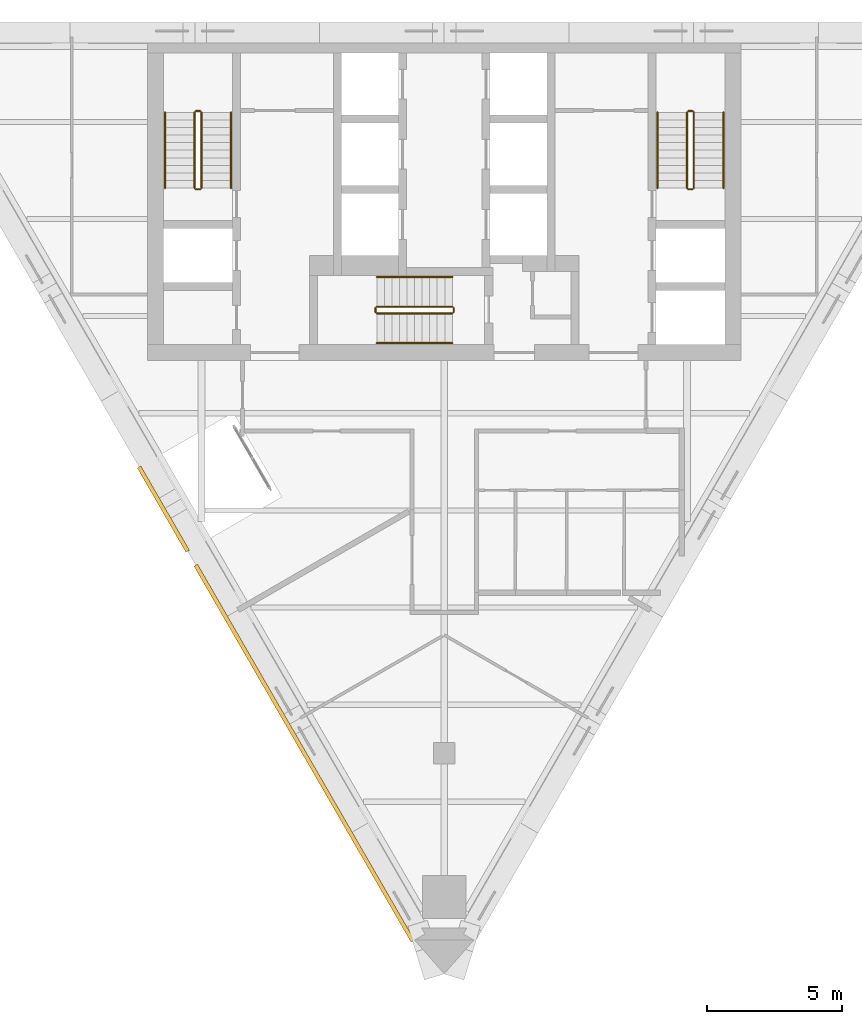
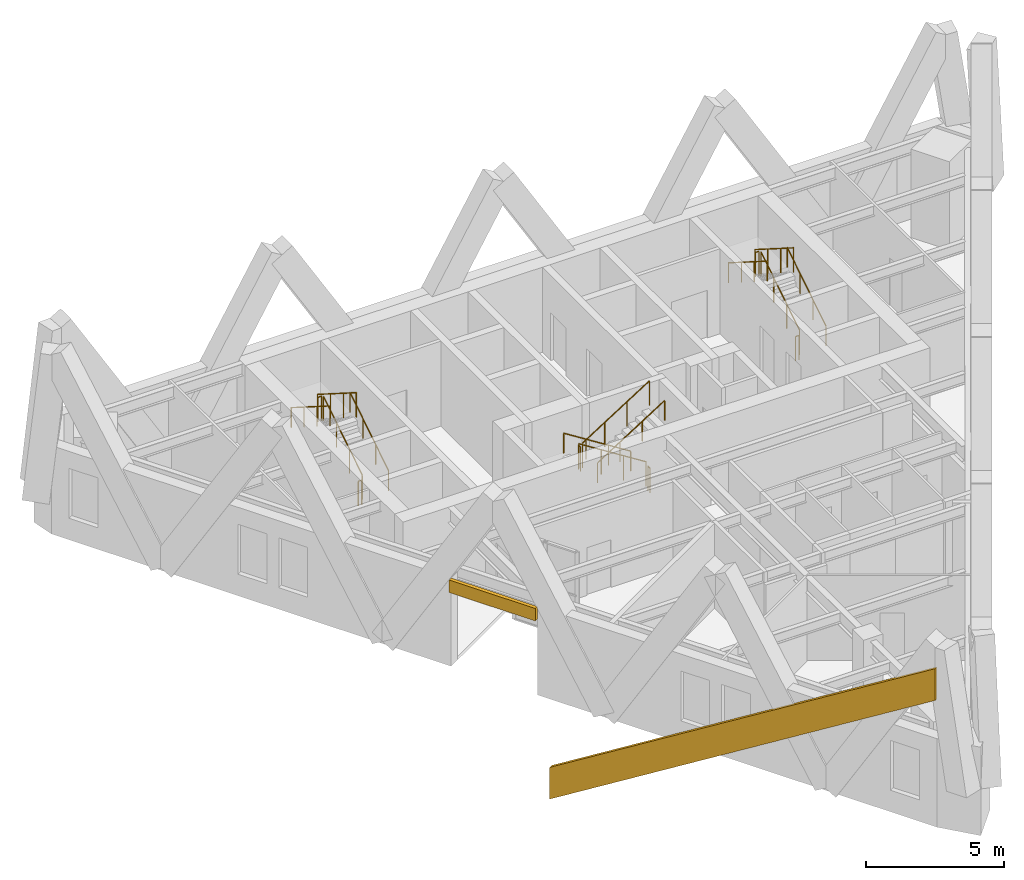
# One storey, part 8 of 8: 18 railings, 2 coverings.
"""IFC4 building model written with IfcOpenShell, lengths in metres."""

from ifc_helpers import new_model, si_unit, direction, frame, origin, origin_2d, place, context, subcontext, project, spatial, polyline, circle, outline, extrude, material, layer, layer_set, type_object, element, save


model = new_model("IFC4")

# Units and contexts
model_context = context("Model", 3, precision=1e-05, world=origin(), true_north=direction((0.0, 1.0)))
body_context = subcontext(model_context, "Body", "Model", "MODEL_VIEW")
ifc_project = project(units=[si_unit("LENGTHUNIT", "METRE"), si_unit("AREAUNIT", "SQUARE_METRE"), si_unit("VOLUMEUNIT", "CUBIC_METRE"), si_unit("PLANEANGLEUNIT", "RADIAN"), si_unit("MASSUNIT", "GRAM", prefix="KILO")], contexts=[model_context])

# Site, building, storey
site_placement = place(None, origin())
site = spatial("IfcSite", under=ifc_project, at=site_placement, CompositionType="ELEMENT")
building_placement = place(site_placement, origin())
building = spatial("IfcBuilding", under=site, at=building_placement, Name="Aloe Facet Convention Tower", CompositionType="ELEMENT")
storey_placement = place(building_placement, frame((0.0, 0.0, 262.10009765625)))
storey = spatial("IfcBuildingStorey", under=building, at=storey_placement, Name="L64", CompositionType="ELEMENT", Elevation=262.10009765625)

# Railings
ifc_material_1 = material(Name="Steel S355 balustrade", Category="steel")
railing_type_1 = type_object("IfcRailingType", Name="CR-RL-GUARD", PredefinedType="GUARDRAIL", material=ifc_material_1)
railing_1_placement = place(storey_placement, frame((71.0, 128.949951171875, 0.17724609375)))
element("IfcRailing", 1, at=railing_1_placement, inside=storey, type_object=railing_type_1, Name="L64 ST1 stair guard 1", PredefinedType="GUARDRAIL", context=body_context, shape_type="SweptSolid", body=[
    extrude(circle(Radius=0.02392578125, at=origin_2d()), frame((0.0, 0.0, 1.076171875), z_axis=(0.0, 0.844908973607, 0.534910110503), x_axis=(-1.0, 0.0, 0.0)), (0.0, 0.0, 1.0), 3.31396484375),
    extrude(circle(Radius=0.02099609375, at=origin_2d()), origin(), (0.0, 0.0, 1.0), 1.052001953125),
    extrude(circle(Radius=0.02099609375, at=origin_2d()), frame((0.0, 0.933349609375, 0.5908203125)), (0.0, 0.0, 1.0), 1.052001953125),
    extrude(circle(Radius=0.02099609375, at=origin_2d()), frame((0.0, 1.86669921875, 1.181884765625)), (0.0, 0.0, 1.0), 1.052001953125),
    extrude(circle(Radius=0.02099609375, at=origin_2d()), frame((0.0, 2.800048828125, 1.772705078125)), (0.0, 0.0, 1.0), 1.052001953125),
])
railing_2_placement = place(storey_placement, frame((70.949951171875, 131.800048828125, 1.949951171875)))
element("IfcRailing", 2, at=railing_2_placement, inside=storey, type_object=railing_type_1, Name="L64 ST1 stair guard 2", PredefinedType="GUARDRAIL", context=body_context, shape_type="SweptSolid", body=[
    extrude(circle(Radius=0.02392578125, at=origin_2d()), frame((0.0, 0.0, 1.076171875), z_axis=(-1.0, 0.0, 0.0), x_axis=(0.0, -1.0, 0.0)), (0.0, 0.0, 1.0), 0.14990234375),
    extrude(circle(Radius=0.02099609375, at=origin_2d()), origin(), (0.0, 0.0, 1.0), 1.052001953125),
    extrude(circle(Radius=0.02099609375, at=origin_2d()), frame((-0.14990234375, 0.0, 0.0)), (0.0, 0.0, 1.0), 1.052001953125),
])
railing_3_placement = place(storey_placement, frame((70.75, 131.75, 2.127197265625)))
element("IfcRailing", 3, at=railing_3_placement, inside=storey, type_object=railing_type_1, Name="L64 ST1 stair guard 3", PredefinedType="GUARDRAIL", context=body_context, shape_type="SweptSolid", body=[
    extrude(circle(Radius=0.02392578125, at=origin_2d()), frame((0.0, 0.0, 1.076171875), z_axis=(0.0, -0.844908973607, 0.534910110503), x_axis=(1.0, 0.0, 0.0)), (0.0, 0.0, 1.0), 3.31396484375),
    extrude(circle(Radius=0.02099609375, at=origin_2d()), origin(), (0.0, 0.0, 1.0), 1.052001953125),
    extrude(circle(Radius=0.02099609375, at=origin_2d()), frame((0.0, -0.933349609375, 0.5908203125)), (0.0, 0.0, 1.0), 1.052001953125),
    extrude(circle(Radius=0.02099609375, at=origin_2d()), frame((0.0, -1.86669921875, 1.181884765625)), (0.0, 0.0, 1.0), 1.052001953125),
    extrude(circle(Radius=0.02099609375, at=origin_2d()), frame((0.0, -2.800048828125, 1.772705078125)), (0.0, 0.0, 1.0), 1.052001953125),
])
railing_4_placement = place(storey_placement, frame((70.949951171875, 128.89990234375, 0.0)))
element("IfcRailing", 4, at=railing_4_placement, inside=storey, type_object=railing_type_1, Name="L64 ST1 stair guard 4", PredefinedType="GUARDRAIL", context=body_context, shape_type="SweptSolid", body=[
    extrude(circle(Radius=0.02392578125, at=origin_2d()), frame((0.0, 0.0, 1.076171875), z_axis=(-1.0, 0.0, 0.0), x_axis=(0.0, -1.0, 0.0)), (0.0, 0.0, 1.0), 0.14990234375),
    extrude(circle(Radius=0.02099609375, at=origin_2d()), origin(), (0.0, 0.0, 1.0), 1.052001953125),
    extrude(circle(Radius=0.02099609375, at=origin_2d()), frame((-0.14990234375, 0.0, 0.0)), (0.0, 0.0, 1.0), 1.052001953125),
])
railing_5_placement = place(storey_placement, frame((89.25, 128.949951171875, 0.17724609375)))
element("IfcRailing", 5, at=railing_5_placement, inside=storey, type_object=railing_type_1, Name="L64 ST2 stair guard 1", PredefinedType="GUARDRAIL", context=body_context, shape_type="SweptSolid", body=[
    extrude(circle(Radius=0.02392578125, at=origin_2d()), frame((0.0, 0.0, 1.076171875), z_axis=(0.0, 0.844908973607, 0.534910110503), x_axis=(-1.0, 0.0, 0.0)), (0.0, 0.0, 1.0), 3.31396484375),
    extrude(circle(Radius=0.02099609375, at=origin_2d()), origin(), (0.0, 0.0, 1.0), 1.052001953125),
    extrude(circle(Radius=0.02099609375, at=origin_2d()), frame((0.0, 0.933349609375, 0.5908203125)), (0.0, 0.0, 1.0), 1.052001953125),
    extrude(circle(Radius=0.02099609375, at=origin_2d()), frame((0.0, 1.86669921875, 1.181884765625)), (0.0, 0.0, 1.0), 1.052001953125),
    extrude(circle(Radius=0.02099609375, at=origin_2d()), frame((0.0, 2.800048828125, 1.772705078125)), (0.0, 0.0, 1.0), 1.052001953125),
])
railing_6_placement = place(storey_placement, frame((89.199951171875, 131.800048828125, 1.949951171875)))
element("IfcRailing", 6, at=railing_6_placement, inside=storey, type_object=railing_type_1, Name="L64 ST2 stair guard 2", PredefinedType="GUARDRAIL", context=body_context, shape_type="SweptSolid", body=[
    extrude(circle(Radius=0.02392578125, at=origin_2d()), frame((0.0, 0.0, 1.076171875), z_axis=(-1.0, 0.0, 0.0), x_axis=(0.0, -1.0, 0.0)), (0.0, 0.0, 1.0), 0.14990234375),
    extrude(circle(Radius=0.02099609375, at=origin_2d()), origin(), (0.0, 0.0, 1.0), 1.052001953125),
    extrude(circle(Radius=0.02099609375, at=origin_2d()), frame((-0.14990234375, 0.0, 0.0)), (0.0, 0.0, 1.0), 1.052001953125),
])
railing_7_placement = place(storey_placement, frame((89.0, 131.75, 2.127197265625)))
element("IfcRailing", 7, at=railing_7_placement, inside=storey, type_object=railing_type_1, Name="L64 ST2 stair guard 3", PredefinedType="GUARDRAIL", context=body_context, shape_type="SweptSolid", body=[
    extrude(circle(Radius=0.02392578125, at=origin_2d()), frame((0.0, 0.0, 1.076171875), z_axis=(0.0, -0.844908973607, 0.534910110503), x_axis=(1.0, 0.0, 0.0)), (0.0, 0.0, 1.0), 3.31396484375),
    extrude(circle(Radius=0.02099609375, at=origin_2d()), origin(), (0.0, 0.0, 1.0), 1.052001953125),
    extrude(circle(Radius=0.02099609375, at=origin_2d()), frame((0.0, -0.933349609375, 0.5908203125)), (0.0, 0.0, 1.0), 1.052001953125),
    extrude(circle(Radius=0.02099609375, at=origin_2d()), frame((0.0, -1.86669921875, 1.181884765625)), (0.0, 0.0, 1.0), 1.052001953125),
    extrude(circle(Radius=0.02099609375, at=origin_2d()), frame((0.0, -2.800048828125, 1.772705078125)), (0.0, 0.0, 1.0), 1.052001953125),
])
railing_8_placement = place(storey_placement, frame((89.199951171875, 128.89990234375, 0.0)))
element("IfcRailing", 8, at=railing_8_placement, inside=storey, type_object=railing_type_1, Name="L64 ST2 stair guard 4", PredefinedType="GUARDRAIL", context=body_context, shape_type="SweptSolid", body=[
    extrude(circle(Radius=0.02392578125, at=origin_2d()), frame((0.0, 0.0, 1.076171875), z_axis=(-1.0, 0.0, 0.0), x_axis=(0.0, -1.0, 0.0)), (0.0, 0.0, 1.0), 0.14990234375),
    extrude(circle(Radius=0.02099609375, at=origin_2d()), origin(), (0.0, 0.0, 1.0), 1.052001953125),
    extrude(circle(Radius=0.02099609375, at=origin_2d()), frame((-0.14990234375, 0.0, 0.0)), (0.0, 0.0, 1.0), 1.052001953125),
])
railing_9_placement = place(storey_placement, frame((80.300048828125, 124.550048828125, 0.17724609375)))
element("IfcRailing", 9, at=railing_9_placement, inside=storey, type_object=railing_type_1, Name="L64 ST3 stair guard 1", PredefinedType="GUARDRAIL", context=body_context, shape_type="SweptSolid", body=[
    extrude(circle(Radius=0.02392578125, at=origin_2d()), frame((0.0, 0.0, 1.076171875), z_axis=(-0.844908973607, 0.0, 0.534910110503), x_axis=(0.0, -1.0, 0.0)), (0.0, 0.0, 1.0), 3.31396484375),
    extrude(circle(Radius=0.02099609375, at=origin_2d()), origin(), (0.0, 0.0, 1.0), 1.052001953125),
    extrude(circle(Radius=0.02099609375, at=origin_2d()), frame((-0.933349609375, 0.0, 0.5908203125)), (0.0, 0.0, 1.0), 1.052001953125),
    extrude(circle(Radius=0.02099609375, at=origin_2d()), frame((-1.86669921875, 0.0, 1.181884765625)), (0.0, 0.0, 1.0), 1.052001953125),
    extrude(circle(Radius=0.02099609375, at=origin_2d()), frame((-2.800048828125, 0.0, 1.772705078125)), (0.0, 0.0, 1.0), 1.052001953125),
])
railing_10_placement = place(storey_placement, frame((77.449951171875, 124.5, 1.949951171875)))
element("IfcRailing", 10, at=railing_10_placement, inside=storey, type_object=railing_type_1, Name="L64 ST3 stair guard 2", PredefinedType="GUARDRAIL", context=body_context, shape_type="SweptSolid", body=[
    extrude(circle(Radius=0.02392578125, at=origin_2d()), frame((0.0, 0.0, 1.076171875), z_axis=(0.0, -1.0, 0.0), x_axis=(1.0, 0.0, 0.0)), (0.0, 0.0, 1.0), 0.14990234375),
    extrude(circle(Radius=0.02099609375, at=origin_2d()), origin(), (0.0, 0.0, 1.0), 1.052001953125),
    extrude(circle(Radius=0.02099609375, at=origin_2d()), frame((0.0, -0.14990234375, 0.0)), (0.0, 0.0, 1.0), 1.052001953125),
])
railing_11_placement = place(storey_placement, frame((77.5, 124.300048828125, 2.127197265625)))
element("IfcRailing", 11, at=railing_11_placement, inside=storey, type_object=railing_type_1, Name="L64 ST3 stair guard 3", PredefinedType="GUARDRAIL", context=body_context, shape_type="SweptSolid", body=[
    extrude(circle(Radius=0.02392578125, at=origin_2d()), frame((0.0, 0.0, 1.076171875), z_axis=(0.844908973607, 0.0, 0.534910110503), x_axis=(0.0, 1.0, 0.0)), (0.0, 0.0, 1.0), 3.31396484375),
    extrude(circle(Radius=0.02099609375, at=origin_2d()), origin(), (0.0, 0.0, 1.0), 1.052001953125),
    extrude(circle(Radius=0.02099609375, at=origin_2d()), frame((0.933349609375, 0.0, 0.5908203125)), (0.0, 0.0, 1.0), 1.052001953125),
    extrude(circle(Radius=0.02099609375, at=origin_2d()), frame((1.86669921875, 0.0, 1.181884765625)), (0.0, 0.0, 1.0), 1.052001953125),
    extrude(circle(Radius=0.02099609375, at=origin_2d()), frame((2.800048828125, 0.0, 1.772705078125)), (0.0, 0.0, 1.0), 1.052001953125),
])
railing_12_placement = place(storey_placement, frame((80.35009765625, 124.5, 0.0)))
element("IfcRailing", 12, at=railing_12_placement, inside=storey, type_object=railing_type_1, Name="L64 ST3 stair guard 4", PredefinedType="GUARDRAIL", context=body_context, shape_type="SweptSolid", body=[
    extrude(circle(Radius=0.02392578125, at=origin_2d()), frame((0.0, 0.0, 1.076171875), z_axis=(0.0, -1.0, 0.0), x_axis=(1.0, 0.0, 0.0)), (0.0, 0.0, 1.0), 0.14990234375),
    extrude(circle(Radius=0.02099609375, at=origin_2d()), origin(), (0.0, 0.0, 1.0), 1.052001953125),
    extrude(circle(Radius=0.02099609375, at=origin_2d()), frame((0.0, -0.14990234375, 0.0)), (0.0, 0.0, 1.0), 1.052001953125),
])
ifc_material_2 = material(Name="Steel S355 handrail", Category="steel")
railing_type_2 = type_object("IfcRailingType", Name="CR-RL-HAND", PredefinedType="HANDRAIL", material=ifc_material_2)
railing_13_placement = place(storey_placement, frame((72.10009765625, 128.949951171875, 0.17724609375)))
element("IfcRailing", 13, at=railing_13_placement, inside=storey, type_object=railing_type_2, Name="L64 ST1 stair handrail 1", PredefinedType="HANDRAIL", context=body_context, shape_type="SweptSolid", body=[
    extrude(circle(Radius=0.02392578125, at=origin_2d()), frame((0.0, 0.0, 0.8759765625), z_axis=(0.0, 0.844908973607, 0.534910110503), x_axis=(-1.0, 0.0, 0.0)), (0.0, 0.0, 1.0), 3.31396484375),
    extrude(circle(Radius=0.02099609375, at=origin_2d()), origin(), (0.0, 0.0, 1.0), 0.851806640625),
    extrude(circle(Radius=0.02099609375, at=origin_2d()), frame((0.0, 0.933349609375, 0.5908203125)), (0.0, 0.0, 1.0), 0.851806640625),
    extrude(circle(Radius=0.02099609375, at=origin_2d()), frame((0.0, 1.86669921875, 1.181884765625)), (0.0, 0.0, 1.0), 0.851806640625),
    extrude(circle(Radius=0.02099609375, at=origin_2d()), frame((0.0, 2.800048828125, 1.772705078125)), (0.0, 0.0, 1.0), 0.851806640625),
])
railing_14_placement = place(storey_placement, frame((69.64990234375, 131.75, 2.127197265625)))
element("IfcRailing", 14, at=railing_14_placement, inside=storey, type_object=railing_type_2, Name="L64 ST1 stair handrail 2", PredefinedType="HANDRAIL", context=body_context, shape_type="SweptSolid", body=[
    extrude(circle(Radius=0.02392578125, at=origin_2d()), frame((0.0, 0.0, 0.8759765625), z_axis=(0.0, -0.844908973607, 0.534910110503), x_axis=(1.0, 0.0, 0.0)), (0.0, 0.0, 1.0), 3.31396484375),
    extrude(circle(Radius=0.02099609375, at=origin_2d()), origin(), (0.0, 0.0, 1.0), 0.851806640625),
    extrude(circle(Radius=0.02099609375, at=origin_2d()), frame((0.0, -0.933349609375, 0.5908203125)), (0.0, 0.0, 1.0), 0.851806640625),
    extrude(circle(Radius=0.02099609375, at=origin_2d()), frame((0.0, -1.86669921875, 1.181884765625)), (0.0, 0.0, 1.0), 0.851806640625),
    extrude(circle(Radius=0.02099609375, at=origin_2d()), frame((0.0, -2.800048828125, 1.772705078125)), (0.0, 0.0, 1.0), 0.851806640625),
])
railing_15_placement = place(storey_placement, frame((90.35009765625, 128.949951171875, 0.17724609375)))
element("IfcRailing", 15, at=railing_15_placement, inside=storey, type_object=railing_type_2, Name="L64 ST2 stair handrail 1", PredefinedType="HANDRAIL", context=body_context, shape_type="SweptSolid", body=[
    extrude(circle(Radius=0.02392578125, at=origin_2d()), frame((0.0, 0.0, 0.8759765625), z_axis=(0.0, 0.844908973607, 0.534910110503), x_axis=(-1.0, 0.0, 0.0)), (0.0, 0.0, 1.0), 3.31396484375),
    extrude(circle(Radius=0.02099609375, at=origin_2d()), origin(), (0.0, 0.0, 1.0), 0.851806640625),
    extrude(circle(Radius=0.02099609375, at=origin_2d()), frame((0.0, 0.933349609375, 0.5908203125)), (0.0, 0.0, 1.0), 0.851806640625),
    extrude(circle(Radius=0.02099609375, at=origin_2d()), frame((0.0, 1.86669921875, 1.181884765625)), (0.0, 0.0, 1.0), 0.851806640625),
    extrude(circle(Radius=0.02099609375, at=origin_2d()), frame((0.0, 2.800048828125, 1.772705078125)), (0.0, 0.0, 1.0), 0.851806640625),
])
railing_16_placement = place(storey_placement, frame((87.89990234375, 131.75, 2.127197265625)))
element("IfcRailing", 16, at=railing_16_placement, inside=storey, type_object=railing_type_2, Name="L64 ST2 stair handrail 2", PredefinedType="HANDRAIL", context=body_context, shape_type="SweptSolid", body=[
    extrude(circle(Radius=0.02392578125, at=origin_2d()), frame((0.0, 0.0, 0.8759765625), z_axis=(0.0, -0.844908973607, 0.534910110503), x_axis=(1.0, 0.0, 0.0)), (0.0, 0.0, 1.0), 3.31396484375),
    extrude(circle(Radius=0.02099609375, at=origin_2d()), origin(), (0.0, 0.0, 1.0), 0.851806640625),
    extrude(circle(Radius=0.02099609375, at=origin_2d()), frame((0.0, -0.933349609375, 0.5908203125)), (0.0, 0.0, 1.0), 0.851806640625),
    extrude(circle(Radius=0.02099609375, at=origin_2d()), frame((0.0, -1.86669921875, 1.181884765625)), (0.0, 0.0, 1.0), 0.851806640625),
    extrude(circle(Radius=0.02099609375, at=origin_2d()), frame((0.0, -2.800048828125, 1.772705078125)), (0.0, 0.0, 1.0), 0.851806640625),
])
railing_17_placement = place(storey_placement, frame((80.300048828125, 125.64990234375, 0.17724609375)))
element("IfcRailing", 17, at=railing_17_placement, inside=storey, type_object=railing_type_2, Name="L64 ST3 stair handrail 1", PredefinedType="HANDRAIL", context=body_context, shape_type="SweptSolid", body=[
    extrude(circle(Radius=0.02392578125, at=origin_2d()), frame((0.0, 0.0, 0.8759765625), z_axis=(-0.844908973607, 0.0, 0.534910110503), x_axis=(0.0, -1.0, 0.0)), (0.0, 0.0, 1.0), 3.31396484375),
    extrude(circle(Radius=0.02099609375, at=origin_2d()), origin(), (0.0, 0.0, 1.0), 0.851806640625),
    extrude(circle(Radius=0.02099609375, at=origin_2d()), frame((-0.933349609375, 0.0, 0.5908203125)), (0.0, 0.0, 1.0), 0.851806640625),
    extrude(circle(Radius=0.02099609375, at=origin_2d()), frame((-1.86669921875, 0.0, 1.181884765625)), (0.0, 0.0, 1.0), 0.851806640625),
    extrude(circle(Radius=0.02099609375, at=origin_2d()), frame((-2.800048828125, 0.0, 1.772705078125)), (0.0, 0.0, 1.0), 0.851806640625),
])
railing_18_placement = place(storey_placement, frame((77.5, 123.199951171875, 2.127197265625)))
element("IfcRailing", 18, at=railing_18_placement, inside=storey, type_object=railing_type_2, Name="L64 ST3 stair handrail 2", PredefinedType="HANDRAIL", context=body_context, shape_type="SweptSolid", body=[
    extrude(circle(Radius=0.02392578125, at=origin_2d()), frame((0.0, 0.0, 0.8759765625), z_axis=(0.844908973607, 0.0, 0.534910110503), x_axis=(0.0, 1.0, 0.0)), (0.0, 0.0, 1.0), 3.31396484375),
    extrude(circle(Radius=0.02099609375, at=origin_2d()), origin(), (0.0, 0.0, 1.0), 0.851806640625),
    extrude(circle(Radius=0.02099609375, at=origin_2d()), frame((0.933349609375, 0.0, 0.5908203125)), (0.0, 0.0, 1.0), 0.851806640625),
    extrude(circle(Radius=0.02099609375, at=origin_2d()), frame((1.86669921875, 0.0, 1.181884765625)), (0.0, 0.0, 1.0), 0.851806640625),
    extrude(circle(Radius=0.02099609375, at=origin_2d()), frame((2.800048828125, 0.0, 1.772705078125)), (0.0, 0.0, 1.0), 0.851806640625),
])

# Coverings
ifc_material_3 = material(Name="Bronze oxide fascia sheet")
ifc_layer = layer(ifc_material_3, 0.14990234375)
ifc_layer_set = layer_set([ifc_layer], Name="EV-FASCIA-TERR")
covering_type = type_object("IfcCoveringType", Name="EV-FASCIA-TERR", PredefinedType="CLADDING", material=ifc_layer_set)
covering_1_placement = place(storey_placement, frame((0.0, 0.0, 3.199951171875)))
element("IfcCovering", 19, at=covering_1_placement, inside=storey, type_object=covering_type, Name="Terrace fascia T14 head", PredefinedType="CLADDING", context=body_context, shape_type="SweptSolid", body=[
    extrude(outline(polyline([(68.626953125, 118.569091796875), (70.427001953125, 115.451416015625), (70.556884765625, 115.5263671875), (68.7568359375, 118.64404296875), (68.626953125, 118.569091796875)])), origin(), (0.0, 0.0, 1.0), 0.550048828125),
])
covering_2_placement = place(storey_placement, frame((70.72705078125, 114.931884765625, -4.4501953125), z_axis=(-0.866030405307, -0.499991337009, 0.0), x_axis=(0.424791658374, -0.735777732217, 0.527430730759)))
element("IfcCovering", 20, at=covering_2_placement, inside=storey, type_object=covering_type, Name="Spiral ribbon zone 5 part 6", PredefinedType="CLADDING", context=body_context, shape_type="SweptSolid", body=[
    extrude(outline(polyline([(0.0, 0.0), (18.93391405278934, 0.0), (19.67226556894532, 1.1893542830573693), (0.7384802834242328, 1.1895617044530886), (0.0, 0.0)])), origin(), (0.0, 0.0, -1.0), 0.14990234375),
])

save(model, "model.ifc")
